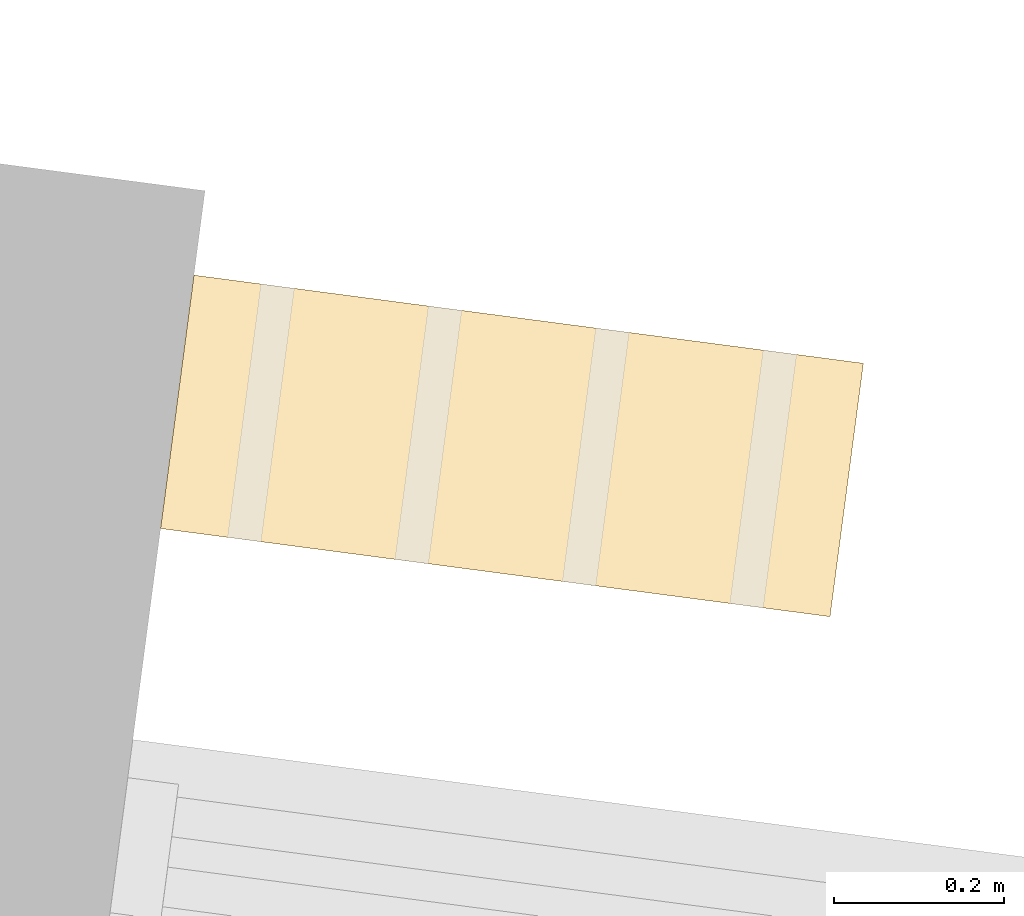
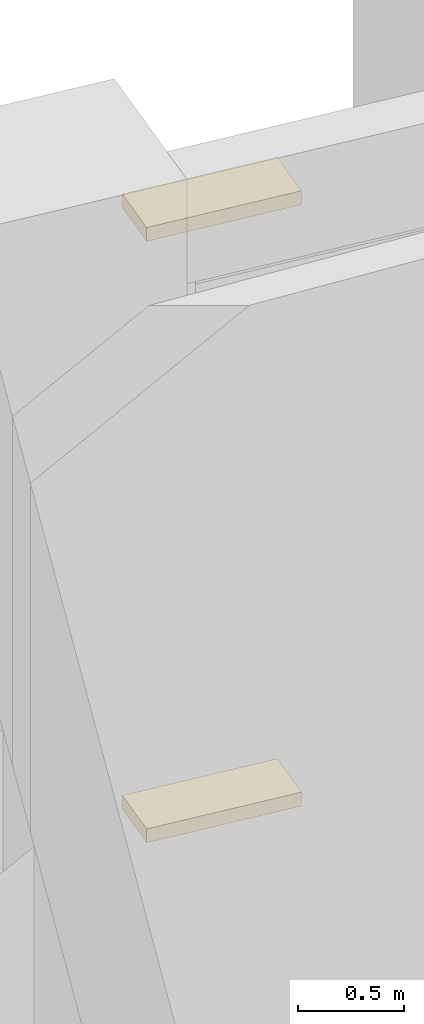
# One storey, part 50 of 50: 2 coverings.
"""IFC4 building model written with IfcOpenShell, lengths in metres."""

import ifcopenshell
import ifcopenshell.guid

model = None  # the IFC model being written
_history = None  # IfcOwnerHistory: only IFC2X3 demands one
_inside = {}  # id of a spatial element -> (the spatial element, [elements in it])
_under = {}  # id of a project, library or spatial element -> (it, [spatial elements below it])
_declared = {}  # id of a project -> (the project, [libraries it declares])
_typed = {}  # id of a type object -> (the type object, [elements of that type])
_made_of = {}  # id of a material, layer set ... -> (it, [elements and type objects made of it])


def new_model(schema):
    """Start an empty IFC model of exactly this schema.

    Asked for "IFC4X3", IfcOpenShell would pick the latest addendum, in which some entities
    have other attributes; the version numbers below select the first issue.
    IFC2X3 requires an IfcOwnerHistory on every rooted entity: one is made here for all.
    """
    global model, _history
    if schema == "IFC4X3":
        model = ifcopenshell.file(schema_version=(4, 3, 0, 0))
    else:
        model = ifcopenshell.file(schema=schema)
    _inside.clear()
    _under.clear()
    _declared.clear()
    _typed.clear()
    _made_of.clear()
    _history = None
    if model.schema == "IFC2X3":
        org = make("IfcOrganization", Name="unknown")
        user = make(
            "IfcPersonAndOrganization",
            ThePerson=make("IfcPerson", FamilyName="unknown"),
            TheOrganization=org,
        )
        app = make(
            "IfcApplication",
            ApplicationDeveloper=org,
            Version="unknown",
            ApplicationFullName="unknown",
            ApplicationIdentifier="unknown",
        )
        _history = make(
            "IfcOwnerHistory",
            OwningUser=user,
            OwningApplication=app,
            ChangeAction="ADDED",
            CreationDate=0,
        )
    return model


def make(cls, **values):
    """One entity of the class cls with the attributes given. An attribute that is None is left unset."""
    return model.create_entity(
        cls, **{name: value for name, value in values.items() if value is not None}
    )


def rooted(cls, **values):
    """An entity with a GlobalId (a new one), such as an element, a storey or a relation."""
    return make(cls, GlobalId=ifcopenshell.guid.new(), OwnerHistory=_history, **values)


def si_unit(unit_type, name, prefix=None):
    """IfcSIUnit, for example si_unit("LENGTHUNIT", "METRE", prefix="MILLI")."""
    return make("IfcSIUnit", UnitType=unit_type, Prefix=prefix, Name=name)


def assignment(units):
    """IfcUnitAssignment: the units of a project."""
    return None if units is None else make("IfcUnitAssignment", Units=units)


def point(xyz):
    """IfcCartesianPoint."""
    return None if xyz is None else make("IfcCartesianPoint", Coordinates=xyz)


def direction(xyz):
    """IfcDirection."""
    return None if xyz is None else make("IfcDirection", DirectionRatios=xyz)


def frame(location, z_axis=None, x_axis=None):
    """IfcAxis2Placement3D, a coordinate frame: its origin and axes. An axis left out is left unset."""
    return make(
        "IfcAxis2Placement3D",
        Location=point(location),
        Axis=direction(z_axis),
        RefDirection=direction(x_axis),
    )


def frame_2d(location, x_axis=None):
    """IfcAxis2Placement2D, a coordinate frame in the plane: its origin and x axis."""
    return make(
        "IfcAxis2Placement2D", Location=point(location), RefDirection=direction(x_axis)
    )


def origin():
    """The frame at (0, 0, 0) with its axes left unset."""
    return frame((0.0, 0.0, 0.0))


def origin_2d():
    """The frame at (0, 0) in the plane with its x axis left unset."""
    return frame_2d((0.0, 0.0))


def place(relative_to, where):
    """IfcLocalPlacement: puts the frame where relative to a parent placement (None: the world)."""
    return make(
        "IfcLocalPlacement", PlacementRelTo=relative_to, RelativePlacement=where
    )


def context(
    kind, dimensions, precision=None, world=None, true_north=None, identifier=None
):
    """IfcGeometricRepresentationContext, for example the 3D "Model" context."""
    return make(
        "IfcGeometricRepresentationContext",
        ContextIdentifier=identifier,
        ContextType=kind,
        CoordinateSpaceDimension=dimensions,
        Precision=precision,
        WorldCoordinateSystem=world,
        TrueNorth=true_north,
    )


def subcontext(parent, identifier, kind, view, scale=None):
    """IfcGeometricRepresentationSubContext, for example "Body" below "Model"."""
    return make(
        "IfcGeometricRepresentationSubContext",
        ContextIdentifier=identifier,
        ContextType=kind,
        ParentContext=parent,
        TargetScale=scale,
        TargetView=view,
    )


def project(units=None, contexts=None):
    """IfcProject with its units and contexts."""
    return rooted(
        "IfcProject",
        Name="project",
        RepresentationContexts=contexts,
        UnitsInContext=assignment(units),
    )


def spatial(cls, under=None, at=None, **own):
    """A site, building, storey or space (cls), placed at a placement, below another one or the project."""
    s = rooted(cls, ObjectPlacement=at, **own)
    if under is not None:
        _under.setdefault(under.id(), (under, []))[1].append(s)
    return s


def profile(cls, at=None, kind="AREA", **sizes):
    """A parametric profile (cls). Its sizes go by their IFC names, for example OverallWidth=200.0."""
    return make(cls, ProfileType=kind, Position=at, **sizes)


def rectangle(**sizes):
    """IfcRectangleProfileDef."""
    return profile("IfcRectangleProfileDef", **sizes)


def extrude(swept, where, along, depth):
    """IfcExtrudedAreaSolid: the profile swept, set in the frame where, extruded along a direction by depth."""
    return make(
        "IfcExtrudedAreaSolid",
        SweptArea=swept,
        Position=where,
        ExtrudedDirection=direction(along),
        Depth=depth,
    )


def shape(context_of_items, identifier, shape_type, items):
    """IfcShapeRepresentation: the items that make up one representation, for example the "Body"."""
    return make(
        "IfcShapeRepresentation",
        ContextOfItems=context_of_items,
        RepresentationIdentifier=identifier,
        RepresentationType=shape_type,
        Items=items,
    )


def material(Name=None, Category=None):
    """IfcMaterial."""
    return make("IfcMaterial", Name=Name, Category=Category)


def made_of(thing, what):
    """Note that an element or type object is made of a material, layer set ...; save() writes the relation."""
    if what is not None:
        _made_of.setdefault(what.id(), (what, []))[1].append(thing)
    return thing


def type_object(cls, material=None, **own):
    """A type object (cls), such as IfcWallType, which elements share."""
    return made_of(rooted(cls, **own), material)


def element(
    cls,
    number,
    at=None,
    inside=None,
    cuts=None,
    type_object=None,
    material=None,
    context=None,
    identifier="Body",
    shape_type=None,
    held_by="IfcProductDefinitionShape",
    body=None,
    shapes=None,
    **own,
):
    """One element of the class cls, such as IfcWall. Its Tag is "e" and its number.

    at: its placement. inside: the storey or other place that contains it. cuts: it is an
    opening in that element (IfcRelVoidsElement). A single representation is given by context,
    identifier, shape_type and body (its items); several are given by shapes. held_by: the class
    of the entity that holds the representations. save() writes the other relations.
    """
    e = rooted(cls, Tag="e%d" % number, ObjectPlacement=at, **own)
    if body is not None:
        shapes = [shape(context, identifier, shape_type, body)]
    if shapes is not None:
        e.Representation = make(held_by, Representations=shapes)
    if inside is not None:
        _inside.setdefault(inside.id(), (inside, []))[1].append(e)
    if cuts is not None:
        rooted(
            "IfcRelVoidsElement", RelatingBuildingElement=cuts, RelatedOpeningElement=e
        )
    if type_object is not None:
        _typed.setdefault(type_object.id(), (type_object, []))[1].append(e)
    return made_of(e, material)


def aggregate(whole, parts):
    """IfcRelAggregates: a whole, such as a stair, and the parts it consists of."""
    return rooted("IfcRelAggregates", RelatingObject=whole, RelatedObjects=parts)


def save(model, path):
    """Write the relations noted so far, then the file.

    IfcRelAggregates (storeys below a building ...), IfcRelContainedInSpatialStructure (elements
    in a storey), IfcRelDefinesByType, IfcRelAssociatesMaterial and IfcRelDeclares: one each for
    every whole, place, type object, material and project.
    """
    for whole, parts in _under.values():
        aggregate(whole, parts)
    for where, things in _inside.values():
        rooted(
            "IfcRelContainedInSpatialStructure",
            RelatedElements=things,
            RelatingStructure=where,
        )
    for kind, things in _typed.values():
        rooted("IfcRelDefinesByType", RelatedObjects=things, RelatingType=kind)
    for what, things in _made_of.values():
        rooted("IfcRelAssociatesMaterial", RelatedObjects=things, RelatingMaterial=what)
    for by, libraries in _declared.values():
        rooted("IfcRelDeclares", RelatingContext=by, RelatedDefinitions=libraries)
    model.write(path)


model = new_model("IFC4")

# Units and contexts
model_context = context("Model", 3, precision=1e-05, world=origin(), true_north=direction((0.0, 1.0)))
body_context = subcontext(model_context, "Body", "Model", "MODEL_VIEW")
ifc_project = project(units=[si_unit("LENGTHUNIT", "METRE"), si_unit("AREAUNIT", "SQUARE_METRE"), si_unit("VOLUMEUNIT", "CUBIC_METRE"), si_unit("PLANEANGLEUNIT", "RADIAN"), si_unit("MASSUNIT", "GRAM", prefix="KILO")], contexts=[model_context])

# Site, building, storey
site_placement = place(None, origin())
site = spatial("IfcSite", under=ifc_project, at=site_placement, CompositionType="ELEMENT")
building_placement = place(site_placement, origin())
building = spatial("IfcBuilding", under=site, at=building_placement, Name="Volute Hill Aquarium", CompositionType="ELEMENT")
storey_placement = place(building_placement, frame((0.0, 0.0, 9.199951171875)))
storey = spatial("IfcBuildingStorey", under=building, at=storey_placement, Name="L03", CompositionType="ELEMENT", Elevation=9.199951171875)

# Coverings
ifc_material = material(Name="Aluminium", Category="aluminium")
covering_type = type_object("IfcCoveringType", Name="Plant louvre slat rail 300x80", PredefinedType="CLADDING", material=ifc_material)
for number, where, z_axis, x_axis, name in (
    (1, (5.939453125, 47.384765625, 0.449951171875), (0.0, 0.0, 1.0), (-0.991442570657, 0.130543590761, 0.0), "Plant louvre slat rail S5 L03 10.1"),
    (2, (5.939453125, 47.384765625, 3.919921875), (0.0, 0.0, 1.0), (-0.991442570657, 0.130543590761, 0.0), "Plant louvre slat rail S5 L03 10.2"),
):
    element("IfcCovering", number, at=place(storey_placement, frame(where, z_axis=z_axis, x_axis=x_axis)), inside=storey, type_object=covering_type, Name=name, PredefinedType="CLADDING", context=body_context, shape_type="SweptSolid", body=[
        extrude(rectangle(XDim=0.792724609375, YDim=0.300048828125, at=origin_2d()), origin(), (0.0, 0.0, 1.0), 0.080078125),
    ])

save(model, "model.ifc")
